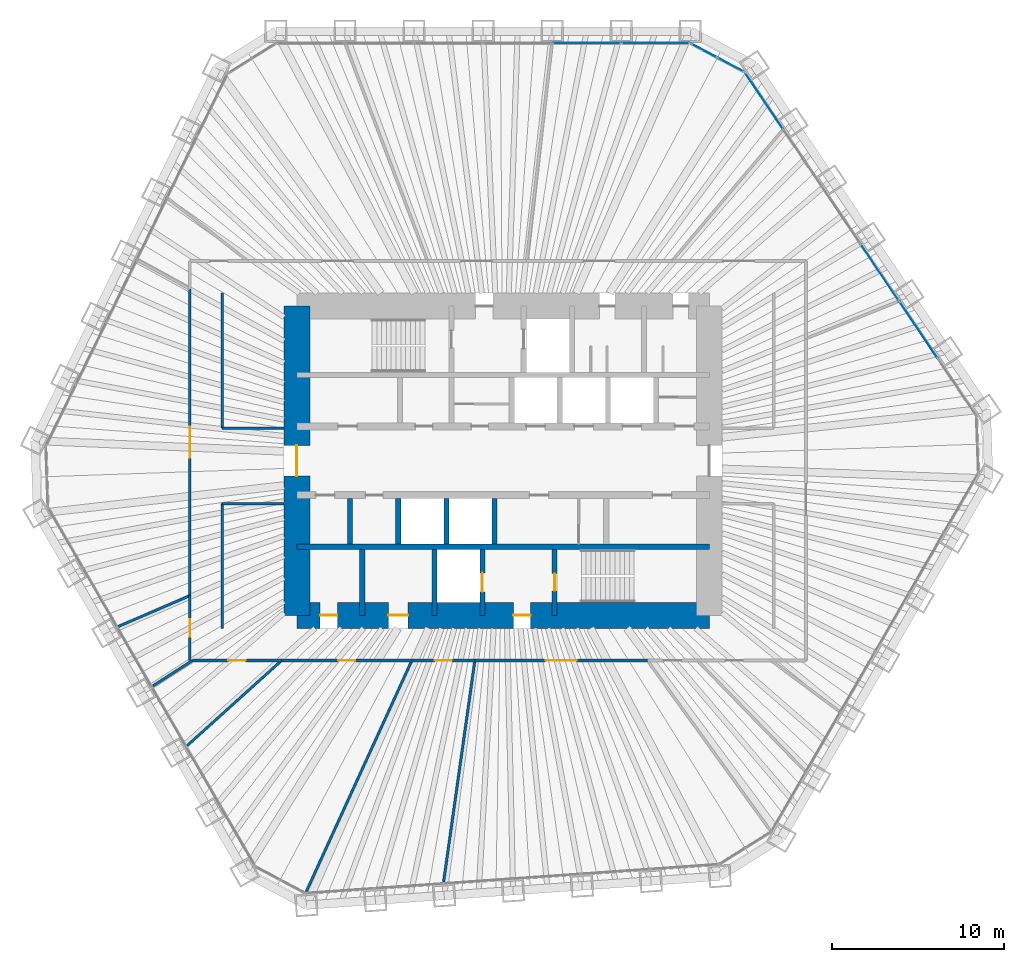
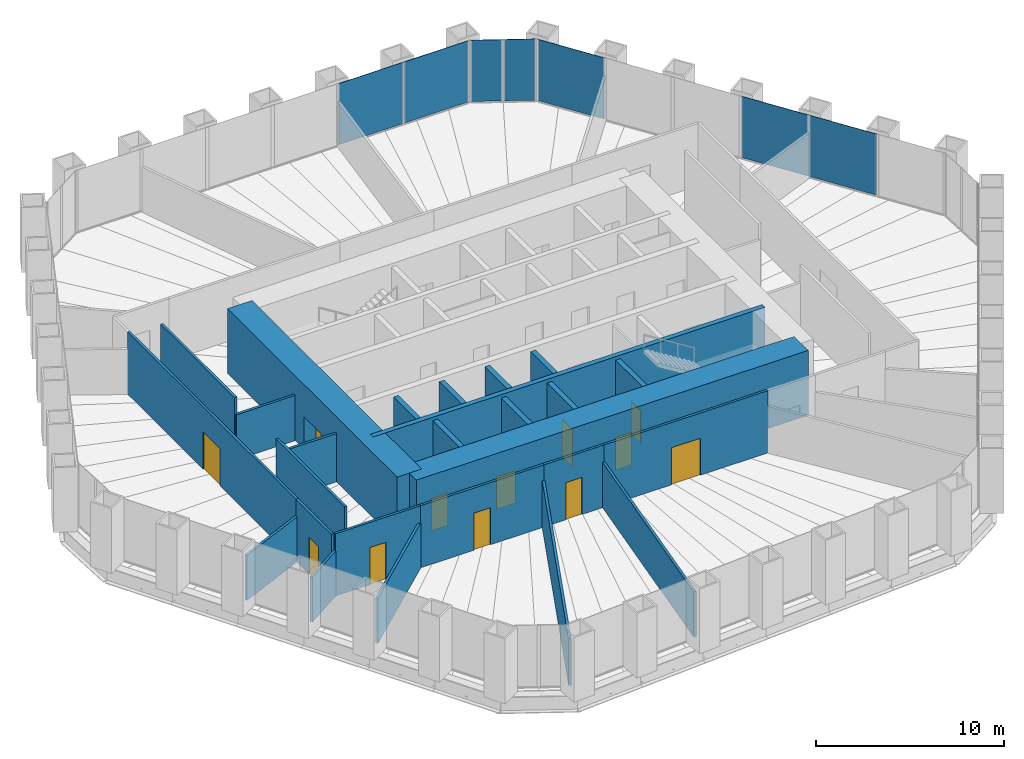
# One storey, part 10 of 13: 26 walls, 12 doors, 7 plates, 12 openings, 3 elements without a shape of their own.
"""IFC4 building model written with IfcOpenShell, lengths in metres."""

from ifc_helpers import new_model, si_unit, direction, frame, frame_2d, origin, origin_2d, place, context, subcontext, project, spatial, rectangle, extrude, material, layer, layer_set, type_object, element, fill, aggregate, save


model = new_model("IFC4")

# Units and contexts
model_context = context("Model", 3, precision=1e-05, world=origin(), true_north=direction((0.0, 1.0)))
body_context = subcontext(model_context, "Body", "Model", "MODEL_VIEW")
ifc_project = project(units=[si_unit("LENGTHUNIT", "METRE"), si_unit("AREAUNIT", "SQUARE_METRE"), si_unit("VOLUMEUNIT", "CUBIC_METRE"), si_unit("PLANEANGLEUNIT", "RADIAN"), si_unit("MASSUNIT", "GRAM", prefix="KILO")], contexts=[model_context])

# Site, building, storey
site_placement = place(None, origin())
site = spatial("IfcSite", under=ifc_project, at=site_placement, CompositionType="ELEMENT")
building_placement = place(site_placement, origin())
building = spatial("IfcBuilding", under=site, at=building_placement, Name="Qingtian Harvest Tower", CompositionType="ELEMENT")
storey_placement = place(building_placement, frame((0.0, 0.0, 166.0)))
storey = spatial("IfcBuildingStorey", under=building, at=storey_placement, Name="L35", CompositionType="ELEMENT", Elevation=166.0)

# Curtain wall, plates
ifc_material_1 = material(Name="Bronze-anodised aluminium curtain wall", Category="aluminium")
curtain_wall_type = type_object("IfcCurtainWallType", Name="Curtain wall CW4 office", PredefinedType="USERDEFINED", material=ifc_material_1)
curtain_wall_1_placement = place(storey_placement, origin())
curtain_wall_1 = element("IfcCurtainWall", 1, at=curtain_wall_1_placement, inside=storey, type_object=curtain_wall_type, Name="Curtain wall CW4 L35 N0-5", ObjectType="RECESSED CURTAIN WALL", PredefinedType="USERDEFINED")
ifc_material_2 = material(Name="Bronze-tinted laminated insulating glass", Category="glass")
ifc_layer_1 = layer(ifc_material_2, 0.030029296875)
ifc_layer_set_1 = layer_set([ifc_layer_1], Name="Glazed panel CWP tinted IGU")
plate_type = type_object("IfcPlateType", Name="Glazed panel CWP tinted IGU", PredefinedType="CURTAIN_PANEL", material=ifc_layer_set_1)
plate_1_placement = place(storey_placement, frame((4.864013671875, 24.300048828125, 0.06494140625), z_axis=(0.0, 0.0, 1.0), x_axis=(1.0, 0.0, 0.0)))
plate_1 = element("IfcPlate", 2, at=plate_1_placement, type_object=plate_type, Name="CW4 panel 5.1", PredefinedType="CURTAIN_PANEL", context=body_context, shape_type="SweptSolid", body=[
    extrude(rectangle(XDim=3.9541015625, YDim=0.030029296875, at=origin_2d()), origin(), (0.0, 0.0, 1.0), 3.965087890625),
])
plate_2_placement = place(storey_placement, frame((8.866943359375, 24.300048828125, 0.06494140625), z_axis=(0.0, 0.0, 1.0), x_axis=(1.0, 0.0, 0.0)))
plate_2 = element("IfcPlate", 3, at=plate_2_placement, type_object=plate_type, Name="CW4 panel 6.1", PredefinedType="CURTAIN_PANEL", context=body_context, shape_type="SweptSolid", body=[
    extrude(rectangle(XDim=3.921630859375, YDim=0.030029296875, at=origin_2d()), origin(), (0.0, 0.0, 1.0), 3.965087890625),
])
aggregate(curtain_wall_1, [plate_1, plate_2])

curtain_wall_2_placement = place(storey_placement, origin())
curtain_wall_2 = element("IfcCurtainWall", 4, at=curtain_wall_2_placement, inside=storey, type_object=curtain_wall_type, Name="Curtain wall CW4 L35 NC", ObjectType="RECESSED CURTAIN WALL", PredefinedType="USERDEFINED")
plate_3_placement = place(storey_placement, frame((11.697509765625, 23.8720703125, 0.06494140625), z_axis=(0.0, 0.0, 1.0), x_axis=(0.882947592859, -0.469471562786, 0.0)))
plate_3 = element("IfcPlate", 5, at=plate_3_placement, type_object=plate_type, Name="CW4 panel 1.1", PredefinedType="CURTAIN_PANEL", context=body_context, shape_type="SweptSolid", body=[
    extrude(rectangle(XDim=1.69287109375, YDim=0.030029296875, at=origin_2d()), origin(), (0.0, 0.0, 1.0), 3.965087890625),
])
plate_4_placement = place(storey_placement, frame((13.249755859375, 23.046875, 0.06494140625), z_axis=(0.0, 0.0, 1.0), x_axis=(0.882947592859, -0.469471562786, 0.0)))
plate_4 = element("IfcPlate", 6, at=plate_4_placement, type_object=plate_type, Name="CW4 panel 2.1", PredefinedType="CURTAIN_PANEL", context=body_context, shape_type="SweptSolid", body=[
    extrude(rectangle(XDim=1.69287109375, YDim=0.030029296875, at=origin_2d()), origin(), (0.0, 0.0, 1.0), 3.965087890625),
])
aggregate(curtain_wall_2, [plate_3, plate_4])

curtain_wall_3_placement = place(storey_placement, origin())
curtain_wall_3 = element("IfcCurtainWall", 7, at=curtain_wall_3_placement, inside=storey, type_object=curtain_wall_type, Name="Curtain wall CW4 L35 NE0-5", ObjectType="RECESSED CURTAIN WALL", PredefinedType="USERDEFINED")
plate_5_placement = place(storey_placement, frame((15.187255859375, 20.939453125, 0.06494140625), z_axis=(0.0, 0.0, 1.0), x_axis=(0.559192903471, -0.829037572555, 0.0)))
plate_5 = element("IfcPlate", 8, at=plate_5_placement, type_object=plate_type, Name="CW4 panel 1.1", PredefinedType="CURTAIN_PANEL", context=body_context, shape_type="SweptSolid", body=[
    extrude(rectangle(XDim=3.921630859375, YDim=0.030029296875, at=origin_2d()), origin(), (0.0, 0.0, 1.0), 3.965087890625),
])
plate_6_placement = place(storey_placement, frame((21.92041015625, 10.95703125, 0.06494140625), z_axis=(0.0, 0.0, 1.0), x_axis=(0.559192903471, -0.829037572555, 0.0)))
plate_6 = element("IfcPlate", 9, at=plate_6_placement, type_object=plate_type, Name="CW4 panel 4.1", PredefinedType="CURTAIN_PANEL", context=body_context, shape_type="SweptSolid", body=[
    extrude(rectangle(XDim=3.9541015625, YDim=0.030029296875, at=origin_2d()), origin(), (0.0, 0.0, 1.0), 3.965087890625),
])
plate_7_placement = place(storey_placement, frame((24.16796875, 7.625, 0.06494140625), z_axis=(0.0, 0.0, 1.0), x_axis=(0.559192903471, -0.829037572555, 0.0)))
plate_7 = element("IfcPlate", 10, at=plate_7_placement, type_object=plate_type, Name="CW4 panel 5.1", PredefinedType="CURTAIN_PANEL", context=body_context, shape_type="SweptSolid", body=[
    extrude(rectangle(XDim=3.9541015625, YDim=0.030029296875, at=origin_2d()), origin(), (0.0, 0.0, 1.0), 3.965087890625),
])
aggregate(curtain_wall_3, [plate_5, plate_6, plate_7])

# Walls
ifc_material_3 = material(Name="Concrete fc' 70 MPa", Category="concrete")
ifc_layer_2 = layer(ifc_material_3, 0.300048828125)
ifc_layer_set_2 = layer_set([ifc_layer_2], Name="Core inner wall RC5 300")
wall_type_1 = type_object("IfcWallType", Name="Core inner wall RC5 300", PredefinedType="SHEAR", material=ifc_layer_set_2)
wall_1_placement = place(storey_placement, frame((-12.0, -5.0, 0.0), z_axis=(0.0, 0.0, 1.0), x_axis=(1.0, 0.0, 0.0)))
element("IfcWall", 11, at=wall_1_placement, inside=storey, type_object=wall_type_1, Name="Core wall IS5 L35", PredefinedType="SHEAR", context=body_context, shape_type="SweptSolid", body=[
    extrude(rectangle(XDim=24.0, YDim=0.300048828125, at=frame_2d((12.0, 0.0))), origin(), (0.0, 0.0, 1.0), 4.199951171875),
])
ifc_material_4 = material(Name="Precast concrete shaft panel", Category="concrete")
ifc_layer_3 = layer(ifc_material_4, 0.300048828125)
ifc_layer_set_3 = layer_set([ifc_layer_3], Name="Core shaft partition SW1 300")
wall_type_2 = type_object("IfcWallType", Name="Core shaft partition SW1 300", PredefinedType="PARTITIONING", material=ifc_layer_set_3)
for number, where, z_axis, x_axis, name in (
    (12, (-8.89990234375, -4.85009765625, 0.0), (0.0, 0.0, 1.0), (0.0, 1.0, 0.0), "Core shaft partition XB1 L35"),
    (13, (-6.10009765625, -4.85009765625, 0.0), (0.0, 0.0, 1.0), (0.0, 1.0, 0.0), "Core shaft partition XB2 L35"),
    (14, (-3.300048828125, -4.85009765625, 0.0), (0.0, 0.0, 1.0), (0.0, 1.0, 0.0), "Core shaft partition XB3 L35"),
    (15, (-0.5, -4.85009765625, 0.0), (0.0, 0.0, 1.0), (0.0, 1.0, 0.0), "Core shaft partition XB4 L35"),
):
    element("IfcWall", number, at=place(storey_placement, frame(where, z_axis=z_axis, x_axis=x_axis)), inside=storey, type_object=wall_type_2, Name=name, PredefinedType="PARTITIONING", context=body_context, shape_type="SweptSolid", body=[
        extrude(rectangle(XDim=2.650146484375, YDim=0.300048828125, at=frame_2d((1.3251953125, 0.0))), origin(), (0.0, 0.0, 1.0), 3.97998046875),
    ])
for number, where, z_axis, x_axis, name in (
    (16, (-8.199951171875, -9.0, 0.0), (0.0, 0.0, 1.0), (0.0, 1.0, 0.0), "Core shaft partition XS1 L35"),
    (17, (-4.0, -9.0, 0.0), (0.0, 0.0, 1.0), (0.0, 1.0, 0.0), "Core shaft partition XS2 L35"),
):
    element("IfcWall", number, at=place(storey_placement, frame(where, z_axis=z_axis, x_axis=x_axis)), inside=storey, type_object=wall_type_2, Name=name, PredefinedType="PARTITIONING", context=body_context, shape_type="SweptSolid", body=[
        extrude(rectangle(XDim=3.85009765625, YDim=0.300048828125, at=frame_2d((1.925048828125, 0.0))), origin(), (0.0, 0.0, 1.0), 3.97998046875),
    ])

# Wall, opening, door
wall_2_placement = place(storey_placement, frame((-1.199951171875, -9.0, 0.0), z_axis=(0.0, 0.0, 1.0), x_axis=(0.0, 1.0, 0.0)))
wall_2 = element("IfcWall", 18, at=wall_2_placement, inside=storey, type_object=wall_type_2, Name="Core shaft partition XS3 L35", PredefinedType="PARTITIONING", context=body_context, shape_type="SweptSolid", body=[
    extrude(rectangle(XDim=3.85009765625, YDim=0.300048828125, at=frame_2d((1.925048828125, 0.0))), origin(), (0.0, 0.0, 1.0), 3.97998046875),
])
opening_1_placement = place(wall_2_placement, frame((1.375, 0.0, 0.0)))
opening_1 = element("IfcOpeningElement", 19, at=opening_1_placement, cuts=wall_2, Name="Opening LD1", PredefinedType="OPENING", context=body_context, shape_type="SweptSolid", body=[
    extrude(rectangle(XDim=1.10009765625, YDim=2.39990234375, at=frame_2d((0.550048828125, 1.199951171875))), frame((0.0, 0.159912109375, 0.0), z_axis=(0.0, -1.0, 0.0), x_axis=(1.0, 0.0, 0.0)), (0.0, 0.0, 1.0), 0.320068359375),
])
ifc_material_5 = material(Name="Stainless steel lift landing door", Category="steel")
door_type_1 = type_object("IfcDoorType", Name="Lift landing door LD1 1 HR", OperationType="DOUBLE_DOOR_SLIDING", PredefinedType="DOOR", material=ifc_material_5)
door_1_placement = place(opening_1_placement, origin())
door_1 = element("IfcDoor", 20, at=door_1_placement, inside=storey, type_object=door_type_1, Name="FL2 landing door L35", OperationType="DOUBLE_DOOR_SLIDING", OverallHeight=2.39990234375, OverallWidth=1.10009765625, PredefinedType="DOOR", context=body_context, shape_type="SweptSolid", body=[
    extrude(rectangle(XDim=1.10009765625, YDim=2.39990234375, at=frame_2d((0.550048828125, 1.199951171875))), frame((0.0, 0.02490234375, 0.0), z_axis=(0.0, -1.0, 0.0), x_axis=(1.0, 0.0, 0.0)), (0.0, 0.0, 1.0), 0.050048828125),
])
fill(opening_1, door_1)

wall_3_placement = place(storey_placement, frame((3.0, -9.0, 0.0), z_axis=(0.0, 0.0, 1.0), x_axis=(0.0, 1.0, 0.0)))
wall_3 = element("IfcWall", 21, at=wall_3_placement, inside=storey, type_object=wall_type_2, Name="Core shaft partition XS4 L35", PredefinedType="PARTITIONING", context=body_context, shape_type="SweptSolid", body=[
    extrude(rectangle(XDim=3.85009765625, YDim=0.300048828125, at=frame_2d((1.925048828125, 0.0))), origin(), (0.0, 0.0, 1.0), 3.97998046875),
])
opening_2_placement = place(wall_3_placement, frame((1.425048828125, 0.0, 0.0)))
opening_2 = element("IfcOpeningElement", 22, at=opening_2_placement, cuts=wall_3, Name="Opening FD1", PredefinedType="OPENING", context=body_context, shape_type="SweptSolid", body=[
    extrude(rectangle(XDim=1.0, YDim=2.10009765625, at=frame_2d((0.5, 1.050048828125))), frame((0.0, 0.159912109375, 0.0), z_axis=(0.0, -1.0, 0.0), x_axis=(1.0, 0.0, 0.0)), (0.0, 0.0, 1.0), 0.320068359375),
])
ifc_material_6 = material(Name="Steel-faced door leaf", Category="steel")
door_type_2 = type_object("IfcDoorType", Name="Fire door FD1 single 1 HR", OperationType="SINGLE_SWING_LEFT", PredefinedType="DOOR", material=ifc_material_6)
door_2_placement = place(opening_2_placement, origin())
door_2 = element("IfcDoor", 23, at=door_2_placement, inside=storey, type_object=door_type_2, Name="S2 door L35", OperationType="SINGLE_SWING_RIGHT", OverallHeight=2.10009765625, OverallWidth=1.0, PredefinedType="DOOR", context=body_context, shape_type="SweptSolid", body=[
    extrude(rectangle(XDim=1.0, YDim=2.10009765625, at=frame_2d((0.5, 1.050048828125))), frame((0.0, 0.02490234375, 0.0), z_axis=(0.0, -1.0, 0.0), x_axis=(1.0, 0.0, 0.0)), (0.0, 0.0, 1.0), 0.050048828125),
])
fill(opening_2, door_2)

# Wall, openings, doors
ifc_material_7 = material(Name="Concrete fc' 70 MPa", Category="concrete")
ifc_layer_4 = layer(ifc_material_7, 1.5)
ifc_layer_set_4 = layer_set([ifc_layer_4], Name="Core wall RC1 1500")
wall_type_3 = type_object("IfcWallType", Name="Core wall RC1 1500", PredefinedType="SHEAR", material=ifc_layer_set_4)
wall_4_placement = place(storey_placement, frame((-12.0, -9.0, 0.0), z_axis=(0.0, 0.0, 1.0), x_axis=(1.0, 0.0, 0.0)))
wall_4 = element("IfcWall", 24, at=wall_4_placement, inside=storey, type_object=wall_type_3, Name="Core wall CS L35", PredefinedType="SHEAR", context=body_context, shape_type="SweptSolid", body=[
    extrude(rectangle(XDim=24.0, YDim=1.5, at=frame_2d((12.0, 0.0))), origin(), (0.0, 0.0, 1.0), 4.199951171875),
])
opening_3_placement = place(wall_4_placement, frame((1.35009765625, 0.0, 0.0)))
opening_3 = element("IfcOpeningElement", 25, at=opening_3_placement, cuts=wall_4, Name="Opening FD1", PredefinedType="OPENING", context=body_context, shape_type="SweptSolid", body=[
    extrude(rectangle(XDim=1.0, YDim=2.10009765625, at=frame_2d((0.5, 1.050048828125))), frame((0.0, 0.760009765625, 0.0), z_axis=(0.0, -1.0, 0.0), x_axis=(1.0, 0.0, 0.0)), (0.0, 0.0, 1.0), 1.52001953125),
])
opening_4_placement = place(wall_4_placement, frame((5.324951171875, 0.0, 0.0)))
opening_4 = element("IfcOpeningElement", 26, at=opening_4_placement, cuts=wall_4, Name="Opening AD1", PredefinedType="OPENING", context=body_context, shape_type="SweptSolid", body=[
    extrude(rectangle(XDim=1.14990234375, YDim=2.10009765625, at=frame_2d((0.574951171875, 1.050048828125))), frame((0.0, 0.760009765625, 0.0), z_axis=(0.0, -1.0, 0.0), x_axis=(1.0, 0.0, 0.0)), (0.0, 0.0, 1.0), 1.52001953125),
])
opening_5_placement = place(wall_4_placement, frame((12.60009765625, 0.0, 0.0)))
opening_5 = element("IfcOpeningElement", 27, at=opening_5_placement, cuts=wall_4, Name="Opening FD1", PredefinedType="OPENING", context=body_context, shape_type="SweptSolid", body=[
    extrude(rectangle(XDim=1.0, YDim=2.10009765625, at=frame_2d((0.5, 1.050048828125))), frame((0.0, 0.760009765625, 0.0), z_axis=(0.0, -1.0, 0.0), x_axis=(1.0, 0.0, 0.0)), (0.0, 0.0, 1.0), 1.52001953125),
])
ifc_material_8 = material(Name="Laminated timber door leaf", Category="wood")
door_type_3 = type_object("IfcDoorType", Name="Accessible WC door AD1 single", OperationType="SINGLE_SWING_LEFT", PredefinedType="DOOR", material=ifc_material_8)
door_3_placement = place(opening_4_placement, origin())
door_3 = element("IfcDoor", 28, at=door_3_placement, inside=storey, type_object=door_type_3, Name="AWC door L35", OperationType="SINGLE_SWING_RIGHT", OverallHeight=2.10009765625, OverallWidth=1.14990234375, PredefinedType="DOOR", context=body_context, shape_type="SweptSolid", body=[
    extrude(rectangle(XDim=1.14990234375, YDim=2.10009765625, at=frame_2d((0.574951171875, 1.050048828125))), frame((0.0, 0.02490234375, 0.0), z_axis=(0.0, -1.0, 0.0), x_axis=(1.0, 0.0, 0.0)), (0.0, 0.0, 1.0), 0.050048828125),
])
fill(opening_4, door_3)
door_4_placement = place(opening_3_placement, origin())
door_4 = element("IfcDoor", 29, at=door_4_placement, inside=storey, type_object=door_type_2, Name="CLN door L35", OperationType="SINGLE_SWING_LEFT", OverallHeight=2.10009765625, OverallWidth=1.0, PredefinedType="DOOR", context=body_context, shape_type="SweptSolid", body=[
    extrude(rectangle(XDim=1.0, YDim=2.10009765625, at=frame_2d((0.5, 1.050048828125))), frame((0.0, 0.02490234375, 0.0), z_axis=(0.0, -1.0, 0.0), x_axis=(1.0, 0.0, 0.0)), (0.0, 0.0, 1.0), 0.050048828125),
])
fill(opening_3, door_4)
door_5_placement = place(opening_5_placement, origin())
door_5 = element("IfcDoor", 30, at=door_5_placement, inside=storey, type_object=door_type_2, Name="V2 door L35", OperationType="SINGLE_SWING_LEFT", OverallHeight=2.10009765625, OverallWidth=1.0, PredefinedType="DOOR", context=body_context, shape_type="SweptSolid", body=[
    extrude(rectangle(XDim=1.0, YDim=2.10009765625, at=frame_2d((0.5, 1.050048828125))), frame((0.0, 0.02490234375, 0.0), z_axis=(0.0, -1.0, 0.0), x_axis=(1.0, 0.0, 0.0)), (0.0, 0.0, 1.0), 0.050048828125),
])
fill(opening_5, door_5)

# Wall, opening, door
wall_5_placement = place(storey_placement, frame((-12.0, -9.0, 0.0), z_axis=(0.0, 0.0, 1.0), x_axis=(0.0, 1.0, 0.0)))
wall_5 = element("IfcWall", 31, at=wall_5_placement, inside=storey, type_object=wall_type_3, Name="Core wall CW L35", PredefinedType="SHEAR", context=body_context, shape_type="SweptSolid", body=[
    extrude(rectangle(XDim=18.0, YDim=1.5, at=frame_2d((9.0, 0.0))), origin(), (0.0, 0.0, 1.0), 4.199951171875),
])
opening_6_placement = place(wall_5_placement, frame((8.10009765625, 0.0, 0.0)))
opening_6 = element("IfcOpeningElement", 32, at=opening_6_placement, cuts=wall_5, Name="Opening FD2", PredefinedType="OPENING", context=body_context, shape_type="SweptSolid", body=[
    extrude(rectangle(XDim=1.800048828125, YDim=2.10009765625, at=frame_2d((0.89990234375, 1.050048828125))), frame((0.0, 0.760009765625, 0.0), z_axis=(0.0, -1.0, 0.0), x_axis=(1.0, 0.0, 0.0)), (0.0, 0.0, 1.0), 1.52001953125),
])
ifc_material_9 = material(Name="Steel-faced door leaf", Category="steel")
door_type_4 = type_object("IfcDoorType", Name="Fire door FD2 double 1 HR", OperationType="DOUBLE_DOOR_DOUBLE_SWING", PredefinedType="DOOR", material=ifc_material_9)
door_6_placement = place(opening_6_placement, origin())
door_6 = element("IfcDoor", 33, at=door_6_placement, inside=storey, type_object=door_type_4, Name="LOBBY-W door L35", OperationType="DOUBLE_DOOR_DOUBLE_SWING", OverallHeight=2.10009765625, OverallWidth=1.800048828125, PredefinedType="DOOR", context=body_context, shape_type="SweptSolid", body=[
    extrude(rectangle(XDim=1.800048828125, YDim=2.10009765625, at=frame_2d((0.89990234375, 1.050048828125))), frame((0.0, 0.02490234375, 0.0), z_axis=(0.0, -1.0, 0.0), x_axis=(1.0, 0.0, 0.0)), (0.0, 0.0, 1.0), 0.050048828125),
])
fill(opening_6, door_6)

ifc_material_10 = material(Name="Gypsum board on steel studs", Category="steel")
ifc_layer_5 = layer(ifc_material_10, 0.14990234375)
ifc_layer_set_5 = layer_set([ifc_layer_5], Name="Partition PT1 150")
wall_type_4 = type_object("IfcWallType", Name="Partition PT1 150", PredefinedType="PARTITIONING", material=ifc_layer_set_5)
wall_6_placement = place(storey_placement, frame((8.4013671875, -11.625, 0.0), z_axis=(0.0, 0.0, 1.0), x_axis=(-1.0, 0.0, 0.0)))
wall_6 = element("IfcWall", 34, at=wall_6_placement, inside=storey, type_object=wall_type_4, Name="Grower training room wall L35", PredefinedType="PARTITIONING", context=body_context, shape_type="SweptSolid", body=[
    extrude(rectangle(XDim=10.043701171875, YDim=0.14990234375, at=frame_2d((5.02197265625, 0.0))), origin(), (0.0, 0.0, 1.0), 4.030029296875),
])
opening_7_placement = place(wall_6_placement, frame((4.121826171875, 0.0, 0.0)))
opening_7 = element("IfcOpeningElement", 35, at=opening_7_placement, cuts=wall_6, Name="Opening D3", PredefinedType="OPENING", context=body_context, shape_type="SweptSolid", body=[
    extrude(rectangle(XDim=1.800048828125, YDim=2.39990234375, at=frame_2d((0.89990234375, 1.199951171875))), frame((0.0, 0.0849609375, 0.0), z_axis=(0.0, -1.0, 0.0), x_axis=(1.0, 0.0, 0.0)), (0.0, 0.0, 1.0), 0.169921875),
])
ifc_material_11 = material(Name="Laminated timber door leaf", Category="wood")
door_type_5 = type_object("IfcDoorType", Name="Room door D3 double", OperationType="DOUBLE_DOOR_DOUBLE_SWING", PredefinedType="DOOR", material=ifc_material_11)
door_7_placement = place(opening_7_placement, origin())
door_7 = element("IfcDoor", 36, at=door_7_placement, inside=storey, type_object=door_type_5, Name="Grower training room door L35", OperationType="DOUBLE_DOOR_DOUBLE_SWING", OverallHeight=2.39990234375, OverallWidth=1.800048828125, PredefinedType="DOOR", context=body_context, shape_type="SweptSolid", body=[
    extrude(rectangle(XDim=1.800048828125, YDim=2.39990234375, at=frame_2d((0.89990234375, 1.199951171875))), frame((0.0, 0.02490234375, 0.0), z_axis=(0.0, -1.0, 0.0), x_axis=(1.0, 0.0, 0.0)), (0.0, 0.0, 1.0), 0.050048828125),
])
fill(opening_7, door_7)

# Wall
wall_7_placement = place(storey_placement, frame((-3.4619140625, -24.50341796875, 0.0), z_axis=(0.0, 0.0, 1.0), x_axis=(0.139899618934, 0.990165691499, 0.0)))
element("IfcWall", 37, at=wall_7_placement, inside=storey, type_object=wall_type_4, Name="Pantry wall L35", PredefinedType="PARTITIONING", context=body_context, shape_type="SweptSolid", body=[
    extrude(rectangle(XDim=13.00634765625, YDim=0.14990234375, at=frame_2d((6.503173828125, 0.0))), origin(), (0.0, 0.0, 1.0), 2.929931640625),
])

# Wall, opening, door
wall_8_placement = place(storey_placement, frame((-1.642333984375, -11.625, 0.0), z_axis=(0.0, 0.0, 1.0), x_axis=(-1.0, 0.0, 0.0)))
wall_8 = element("IfcWall", 38, at=wall_8_placement, inside=storey, type_object=wall_type_4, Name="Pantry wall L35", PredefinedType="PARTITIONING", context=body_context, shape_type="SweptSolid", body=[
    extrude(rectangle(XDim=3.66796875, YDim=0.14990234375, at=frame_2d((1.833984375, 0.0))), origin(), (0.0, 0.0, 1.0), 4.030029296875),
])
opening_8_placement = place(wall_8_placement, frame((1.333984375, 0.0, 0.0)))
opening_8 = element("IfcOpeningElement", 39, at=opening_8_placement, cuts=wall_8, Name="Opening D2", PredefinedType="OPENING", context=body_context, shape_type="SweptSolid", body=[
    extrude(rectangle(XDim=1.0, YDim=2.39990234375, at=frame_2d((0.5, 1.199951171875))), frame((0.0, 0.0849609375, 0.0), z_axis=(0.0, -1.0, 0.0), x_axis=(1.0, 0.0, 0.0)), (0.0, 0.0, 1.0), 0.169921875),
])
ifc_material_12 = material(Name="Laminated timber door leaf", Category="wood")
door_type_6 = type_object("IfcDoorType", Name="Room door D2 single", OperationType="SINGLE_SWING_LEFT", PredefinedType="DOOR", material=ifc_material_12)
door_8_placement = place(opening_8_placement, origin())
door_8 = element("IfcDoor", 40, at=door_8_placement, inside=storey, type_object=door_type_6, Name="Pantry door L35", OperationType="SINGLE_SWING_RIGHT", OverallHeight=2.39990234375, OverallWidth=1.0, PredefinedType="DOOR", context=body_context, shape_type="SweptSolid", body=[
    extrude(rectangle(XDim=1.0, YDim=2.39990234375, at=frame_2d((0.5, 1.199951171875))), frame((0.0, 0.02490234375, 0.0), z_axis=(0.0, -1.0, 0.0), x_axis=(1.0, 0.0, 0.0)), (0.0, 0.0, 1.0), 0.050048828125),
])
fill(opening_8, door_8)

# Wall
wall_9_placement = place(storey_placement, frame((-11.452880859375, -25.072265625, 0.0), z_axis=(0.0, 0.0, 1.0), x_axis=(0.415494357555, 0.909595755729, 0.0)))
element("IfcWall", 41, at=wall_9_placement, inside=storey, type_object=wall_type_4, Name="Meeting room wall L35", PredefinedType="PARTITIONING", context=body_context, shape_type="SweptSolid", body=[
    extrude(rectangle(XDim=14.78369140625, YDim=0.14990234375, at=frame_2d((7.391845703125, 0.0))), origin(), (0.0, 0.0, 1.0), 3.030029296875),
])

# Wall, opening, door
wall_10_placement = place(storey_placement, frame((-5.310302734375, -11.625, 0.0), z_axis=(0.0, 0.0, 1.0), x_axis=(-1.0, 0.0, 0.0)))
wall_10 = element("IfcWall", 42, at=wall_10_placement, inside=storey, type_object=wall_type_4, Name="Meeting room wall L35", PredefinedType="PARTITIONING", context=body_context, shape_type="SweptSolid", body=[
    extrude(rectangle(XDim=7.581787109375, YDim=0.14990234375, at=frame_2d((3.791015625, 0.0))), origin(), (0.0, 0.0, 1.0), 4.030029296875),
])
opening_9_placement = place(wall_10_placement, frame((3.290771484375, 0.0, 0.0)))
opening_9 = element("IfcOpeningElement", 43, at=opening_9_placement, cuts=wall_10, Name="Opening D2", PredefinedType="OPENING", context=body_context, shape_type="SweptSolid", body=[
    extrude(rectangle(XDim=1.0, YDim=2.39990234375, at=frame_2d((0.5, 1.199951171875))), frame((0.0, 0.0849609375, 0.0), z_axis=(0.0, -1.0, 0.0), x_axis=(1.0, 0.0, 0.0)), (0.0, 0.0, 1.0), 0.169921875),
])
door_9_placement = place(opening_9_placement, origin())
door_9 = element("IfcDoor", 44, at=door_9_placement, inside=storey, type_object=door_type_6, Name="Meeting room door L35", OperationType="SINGLE_SWING_RIGHT", OverallHeight=2.39990234375, OverallWidth=1.0, PredefinedType="DOOR", context=body_context, shape_type="SweptSolid", body=[
    extrude(rectangle(XDim=1.0, YDim=2.39990234375, at=frame_2d((0.5, 1.199951171875))), frame((0.0, 0.02490234375, 0.0), z_axis=(0.0, -1.0, 0.0), x_axis=(1.0, 0.0, 0.0)), (0.0, 0.0, 1.0), 0.050048828125),
])
fill(opening_9, door_9)

# Wall
wall_11_placement = place(storey_placement, frame((-18.37841796875, -16.572021484375, 0.0), z_axis=(0.0, 0.0, 1.0), x_axis=(0.742666079924, 0.669661924951, 0.0)))
element("IfcWall", 45, at=wall_11_placement, inside=storey, type_object=wall_type_4, Name="Focus room wall L35", PredefinedType="PARTITIONING", context=body_context, shape_type="SweptSolid", body=[
    extrude(rectangle(XDim=7.387451171875, YDim=0.14990234375, at=frame_2d((3.69384765625, 0.0))), origin(), (0.0, 0.0, 1.0), 2.929931640625),
])

# Wall, opening, door
wall_12_placement = place(storey_placement, frame((-12.89208984375, -11.625, 0.0), z_axis=(0.0, 0.0, 1.0), x_axis=(-1.0, 0.0, 0.0)))
wall_12 = element("IfcWall", 46, at=wall_12_placement, inside=storey, type_object=wall_type_4, Name="Focus room wall L35", PredefinedType="PARTITIONING", context=body_context, shape_type="SweptSolid", body=[
    extrude(rectangle(XDim=5.185302734375, YDim=0.14990234375, at=frame_2d((2.5927734375, 0.0))), origin(), (0.0, 0.0, 1.0), 4.030029296875),
])
opening_10_placement = place(wall_12_placement, frame((2.0927734375, 0.0, 0.0)))
opening_10 = element("IfcOpeningElement", 47, at=opening_10_placement, cuts=wall_12, Name="Opening D2", PredefinedType="OPENING", context=body_context, shape_type="SweptSolid", body=[
    extrude(rectangle(XDim=1.0, YDim=2.39990234375, at=frame_2d((0.5, 1.199951171875))), frame((0.0, 0.0849609375, 0.0), z_axis=(0.0, -1.0, 0.0), x_axis=(1.0, 0.0, 0.0)), (0.0, 0.0, 1.0), 0.169921875),
])
door_10_placement = place(opening_10_placement, origin())
door_10 = element("IfcDoor", 48, at=door_10_placement, inside=storey, type_object=door_type_6, Name="Focus room door L35", OperationType="SINGLE_SWING_RIGHT", OverallHeight=2.39990234375, OverallWidth=1.0, PredefinedType="DOOR", context=body_context, shape_type="SweptSolid", body=[
    extrude(rectangle(XDim=1.0, YDim=2.39990234375, at=frame_2d((0.5, 1.199951171875))), frame((0.0, 0.02490234375, 0.0), z_axis=(0.0, -1.0, 0.0), x_axis=(1.0, 0.0, 0.0)), (0.0, 0.0, 1.0), 0.050048828125),
])
fill(opening_10, door_10)

# Wall
wall_13_placement = place(storey_placement, frame((-20.378173828125, -13.1044921875, 0.0), z_axis=(0.0, 0.0, 1.0), x_axis=(0.841108871346, 0.540865848934, 0.0)))
element("IfcWall", 49, at=wall_13_placement, inside=storey, type_object=wall_type_4, Name="Print room wall L35", PredefinedType="PARTITIONING", context=body_context, shape_type="SweptSolid", body=[
    extrude(rectangle(XDim=2.7353515625, YDim=0.14990234375, at=frame_2d((1.36767578125, 0.0))), origin(), (0.0, 0.0, 1.0), 2.929931640625),
])

# Wall, opening, door
wall_14_placement = place(storey_placement, frame((-18.22509765625, -11.625, 0.0), z_axis=(0.0, 0.0, 1.0), x_axis=(0.0, 1.0, 0.0)))
wall_14 = element("IfcWall", 50, at=wall_14_placement, inside=storey, type_object=wall_type_4, Name="Print room wall L35", PredefinedType="PARTITIONING", context=body_context, shape_type="SweptSolid", body=[
    extrude(rectangle(XDim=3.776123046875, YDim=0.14990234375, at=frame_2d((1.88818359375, 0.0))), origin(), (0.0, 0.0, 1.0), 4.030029296875),
])
opening_11_placement = place(wall_14_placement, frame((1.387939453125, 0.0, 0.0)))
opening_11 = element("IfcOpeningElement", 51, at=opening_11_placement, cuts=wall_14, Name="Opening D2", PredefinedType="OPENING", context=body_context, shape_type="SweptSolid", body=[
    extrude(rectangle(XDim=1.0, YDim=2.39990234375, at=frame_2d((0.5, 1.199951171875))), frame((0.0, 0.0849609375, 0.0), z_axis=(0.0, -1.0, 0.0), x_axis=(1.0, 0.0, 0.0)), (0.0, 0.0, 1.0), 0.169921875),
])
door_11_placement = place(opening_11_placement, origin())
door_11 = element("IfcDoor", 52, at=door_11_placement, inside=storey, type_object=door_type_6, Name="Print room door L35", OperationType="SINGLE_SWING_RIGHT", OverallHeight=2.39990234375, OverallWidth=1.0, PredefinedType="DOOR", context=body_context, shape_type="SweptSolid", body=[
    extrude(rectangle(XDim=1.0, YDim=2.39990234375, at=frame_2d((0.5, 1.199951171875))), frame((0.0, 0.02490234375, 0.0), z_axis=(0.0, -1.0, 0.0), x_axis=(1.0, 0.0, 0.0)), (0.0, 0.0, 1.0), 0.050048828125),
])
fill(opening_11, door_11)

# Wall
wall_15_placement = place(storey_placement, frame((-22.3798828125, -9.638427734375, 0.0), z_axis=(0.0, 0.0, 1.0), x_axis=(0.918428905659, 0.395586078181, 0.0)))
element("IfcWall", 53, at=wall_15_placement, inside=storey, type_object=wall_type_4, Name="Office suite wall L35", PredefinedType="PARTITIONING", context=body_context, shape_type="SweptSolid", body=[
    extrude(rectangle(XDim=4.523681640625, YDim=0.14990234375, at=frame_2d((2.26171875, 0.0))), origin(), (0.0, 0.0, 1.0), 2.929931640625),
])

# Wall, opening, door
wall_16_placement = place(storey_placement, frame((-18.22509765625, -7.848876953125, 0.0), z_axis=(0.0, 0.0, 1.0), x_axis=(0.0, 1.0, 0.0)))
wall_16 = element("IfcWall", 54, at=wall_16_placement, inside=storey, type_object=wall_type_4, Name="Office suite wall L35", PredefinedType="PARTITIONING", context=body_context, shape_type="SweptSolid", body=[
    extrude(rectangle(XDim=17.8447265625, YDim=0.14990234375, at=frame_2d((8.92236328125, 0.0))), origin(), (0.0, 0.0, 1.0), 4.030029296875),
])
opening_12_placement = place(wall_16_placement, frame((8.0224609375, 0.0, 0.0)))
opening_12 = element("IfcOpeningElement", 55, at=opening_12_placement, cuts=wall_16, Name="Opening D3", PredefinedType="OPENING", context=body_context, shape_type="SweptSolid", body=[
    extrude(rectangle(XDim=1.800048828125, YDim=2.39990234375, at=frame_2d((0.89990234375, 1.199951171875))), frame((0.0, 0.0849609375, 0.0), z_axis=(0.0, -1.0, 0.0), x_axis=(1.0, 0.0, 0.0)), (0.0, 0.0, 1.0), 0.169921875),
])
door_12_placement = place(opening_12_placement, origin())
door_12 = element("IfcDoor", 56, at=door_12_placement, inside=storey, type_object=door_type_5, Name="Office suite door L35", OperationType="DOUBLE_DOOR_DOUBLE_SWING", OverallHeight=2.39990234375, OverallWidth=1.800048828125, PredefinedType="DOOR", context=body_context, shape_type="SweptSolid", body=[
    extrude(rectangle(XDim=1.800048828125, YDim=2.39990234375, at=frame_2d((0.89990234375, 1.199951171875))), frame((0.0, 0.02490234375, 0.0), z_axis=(0.0, -1.0, 0.0), x_axis=(1.0, 0.0, 0.0)), (0.0, 0.0, 1.0), 0.050048828125),
])
fill(opening_12, door_12)

# Walls
wall_17_placement = place(storey_placement, frame((-16.35009765625, 1.89990234375, 0.0), z_axis=(0.0, 0.0, 1.0), x_axis=(0.0, 1.0, 0.0)))
element("IfcWall", 57, at=wall_17_placement, inside=storey, type_object=wall_type_4, Name="Reading area wall L35", PredefinedType="PARTITIONING", context=body_context, shape_type="SweptSolid", body=[
    extrude(rectangle(XDim=7.85009765625, YDim=0.14990234375, at=frame_2d((3.925048828125, 0.0))), origin(), (0.0, 0.0, 1.0), 4.030029296875),
])
wall_18_placement = place(storey_placement, frame((-12.75, 1.89990234375, 0.0), z_axis=(0.0, 0.0, 1.0), x_axis=(-1.0, 0.0, 0.0)))
element("IfcWall", 58, at=wall_18_placement, inside=storey, type_object=wall_type_4, Name="Reading area wall L35", PredefinedType="PARTITIONING", context=body_context, shape_type="SweptSolid", body=[
    extrude(rectangle(XDim=3.60009765625, YDim=0.14990234375, at=frame_2d((1.800048828125, 0.0))), origin(), (0.0, 0.0, 1.0), 2.929931640625),
])
wall_19_placement = place(storey_placement, frame((-16.35009765625, -9.75, 0.0), z_axis=(0.0, 0.0, 1.0), x_axis=(0.0, 1.0, 0.0)))
element("IfcWall", 59, at=wall_19_placement, inside=storey, type_object=wall_type_4, Name="Coffee point wall L35", PredefinedType="PARTITIONING", context=body_context, shape_type="SweptSolid", body=[
    extrude(rectangle(XDim=7.25, YDim=0.14990234375, at=frame_2d((3.625, 0.0))), origin(), (0.0, 0.0, 1.0), 4.030029296875),
])
wall_20_placement = place(storey_placement, frame((-12.75, -2.5, 0.0), z_axis=(0.0, 0.0, 1.0), x_axis=(-1.0, 0.0, 0.0)))
element("IfcWall", 60, at=wall_20_placement, inside=storey, type_object=wall_type_4, Name="Coffee point wall L35", PredefinedType="PARTITIONING", context=body_context, shape_type="SweptSolid", body=[
    extrude(rectangle(XDim=3.60009765625, YDim=0.14990234375, at=frame_2d((1.800048828125, 0.0))), origin(), (0.0, 0.0, 1.0), 3.1298828125),
])

save(model, "model.ifc")
